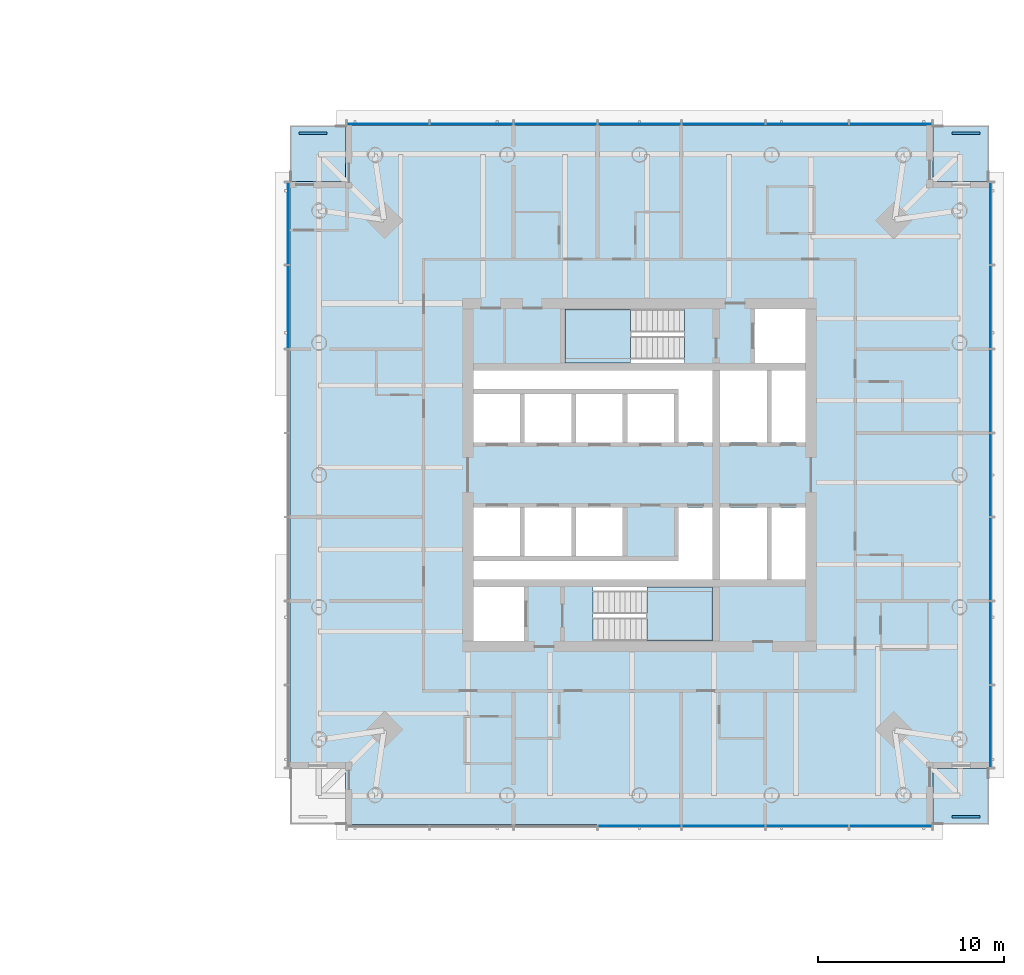
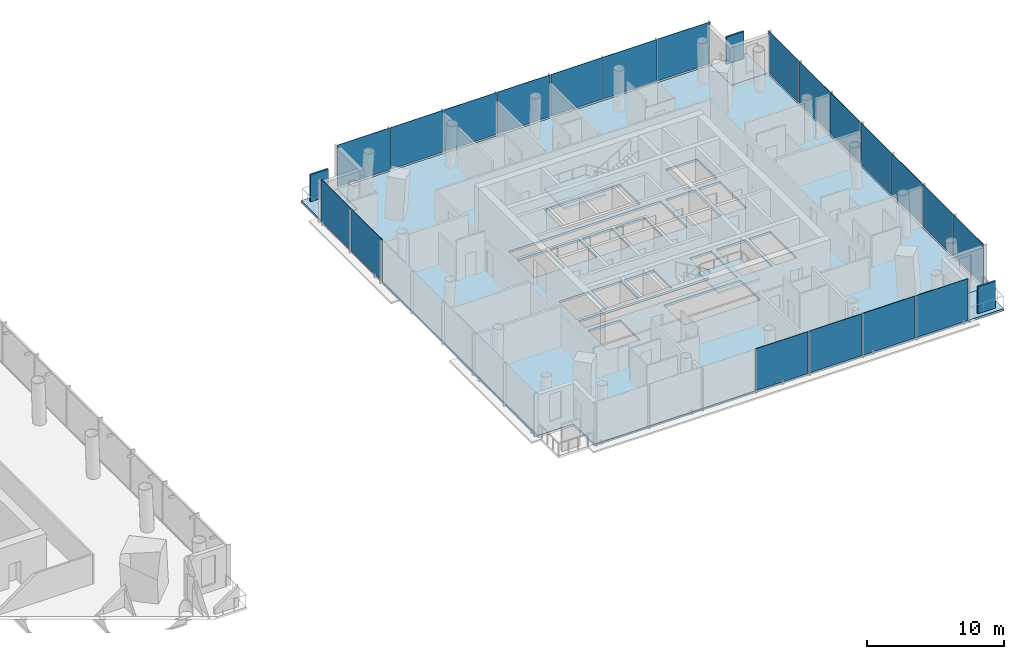
# One storey, part 8 of 22: 23 plates, 6 slabs, 6 elements without a shape of their own.
"""IFC4 building model written with IfcOpenShell, lengths in metres."""

from ifc_helpers import new_model, si_unit, direction, frame, origin, origin_2d, place, context, subcontext, project, spatial, polyline, rectangle, outline, extrude, material, layer, layer_set, type_object, element, aggregate, save


model = new_model("IFC4")

# Units and contexts
model_context = context("Model", 3, precision=1e-05, world=origin(), true_north=direction((0.0, 1.0)))
body_context = subcontext(model_context, "Body", "Model", "MODEL_VIEW")
ifc_project = project(units=[si_unit("LENGTHUNIT", "METRE"), si_unit("AREAUNIT", "SQUARE_METRE"), si_unit("VOLUMEUNIT", "CUBIC_METRE"), si_unit("PLANEANGLEUNIT", "RADIAN"), si_unit("MASSUNIT", "GRAM", prefix="KILO")], contexts=[model_context])

# Site, building, storey
site_placement = place(None, origin())
site = spatial("IfcSite", under=ifc_project, at=site_placement, CompositionType="ELEMENT")
building_placement = place(site_placement, origin())
building = spatial("IfcBuilding", under=site, at=building_placement, Name="Ostroluk Exchange", CompositionType="ELEMENT")
storey_placement = place(building_placement, frame((0.0, 0.0, 62.800048828125)))
storey = spatial("IfcBuildingStorey", under=building, at=storey_placement, Name="L15", CompositionType="ELEMENT", Elevation=62.800048828125)

# Curtain wall, plates
ifc_material_1 = material(Name="Laminated clear glass", Category="glass")
curtain_wall_type = type_object("IfcCurtainWallType", Name="Hotel guest floor facade", PredefinedType="USERDEFINED", material=ifc_material_1)
curtain_wall_1_placement = place(storey_placement, origin())
curtain_wall_1 = element("IfcCurtainWall", 1, at=curtain_wall_1_placement, inside=storey, type_object=curtain_wall_type, Name="Hotel tower south facade L15", ObjectType="UNITISED CURTAIN WALL", PredefinedType="USERDEFINED")
ifc_material_2 = material(Name="Laminated clear glass", Category="glass")
ifc_layer_1 = layer(ifc_material_2, 0.0400390625)
ifc_layer_set_1 = layer_set([ifc_layer_1], Name="Acoustic laminated glazing 40")
plate_type_1 = type_object("IfcPlateType", Name="Acoustic laminated glazing 40", PredefinedType="CURTAIN_PANEL", material=ifc_layer_set_1)
plate_1_placement = place(storey_placement, frame((117.0, 27.175048828125, 0.080078125), z_axis=(0.0, 0.0, 1.0), x_axis=(1.0, 0.0, 0.0)))
plate_1 = element("IfcPlate", 2, at=plate_1_placement, type_object=plate_type_1, Name="CW-H1 panel 4.1", PredefinedType="CURTAIN_PANEL", context=body_context, shape_type="SweptSolid", body=[
    extrude(rectangle(XDim=4.419921875, YDim=0.0400390625, at=origin_2d()), origin(), (0.0, 0.0, 1.0), 3.719970703125),
])
plate_2_placement = place(storey_placement, frame((121.5, 27.175048828125, 0.080078125), z_axis=(0.0, 0.0, 1.0), x_axis=(1.0, 0.0, 0.0)))
plate_2 = element("IfcPlate", 3, at=plate_2_placement, type_object=plate_type_1, Name="CW-H1 panel 5.1", PredefinedType="CURTAIN_PANEL", context=body_context, shape_type="SweptSolid", body=[
    extrude(rectangle(XDim=4.419921875, YDim=0.0400390625, at=origin_2d()), origin(), (0.0, 0.0, 1.0), 3.719970703125),
])
plate_3_placement = place(storey_placement, frame((126.0, 27.175048828125, 0.080078125), z_axis=(0.0, 0.0, 1.0), x_axis=(1.0, 0.0, 0.0)))
plate_3 = element("IfcPlate", 4, at=plate_3_placement, type_object=plate_type_1, Name="CW-H1 panel 6.1", PredefinedType="CURTAIN_PANEL", context=body_context, shape_type="SweptSolid", body=[
    extrude(rectangle(XDim=4.419921875, YDim=0.0400390625, at=origin_2d()), origin(), (0.0, 0.0, 1.0), 3.719970703125),
])
plate_4_placement = place(storey_placement, frame((130.47998046875, 27.175048828125, 0.080078125), z_axis=(0.0, 0.0, 1.0), x_axis=(1.0, 0.0, 0.0)))
plate_4 = element("IfcPlate", 5, at=plate_4_placement, type_object=plate_type_1, Name="CW-H1 panel 7.1", PredefinedType="CURTAIN_PANEL", context=body_context, shape_type="SweptSolid", body=[
    extrude(rectangle(XDim=4.3798828125, YDim=0.0400390625, at=origin_2d()), origin(), (0.0, 0.0, 1.0), 3.719970703125),
])
aggregate(curtain_wall_1, [plate_1, plate_2, plate_3, plate_4])

curtain_wall_2_placement = place(storey_placement, origin())
curtain_wall_2 = element("IfcCurtainWall", 6, at=curtain_wall_2_placement, inside=storey, type_object=curtain_wall_type, Name="Hotel tower east facade L15", ObjectType="UNITISED CURTAIN WALL", PredefinedType="USERDEFINED")
plate_5_placement = place(storey_placement, frame((135.824951171875, 32.52001953125, 0.080078125), z_axis=(0.0, 0.0, 1.0), x_axis=(0.0, 1.0, 0.0)))
plate_5 = element("IfcPlate", 7, at=plate_5_placement, type_object=plate_type_1, Name="CW-H1 panel 1.1", PredefinedType="CURTAIN_PANEL", context=body_context, shape_type="SweptSolid", body=[
    extrude(rectangle(XDim=4.3798828125, YDim=0.0400390625, at=origin_2d()), origin(), (0.0, 0.0, 1.0), 3.719970703125),
])
plate_6_placement = place(storey_placement, frame((135.824951171875, 37.0, 0.080078125), z_axis=(0.0, 0.0, 1.0), x_axis=(0.0, 1.0, 0.0)))
plate_6 = element("IfcPlate", 8, at=plate_6_placement, type_object=plate_type_1, Name="CW-H1 panel 2.1", PredefinedType="CURTAIN_PANEL", context=body_context, shape_type="SweptSolid", body=[
    extrude(rectangle(XDim=4.419921875, YDim=0.0400390625, at=origin_2d()), origin(), (0.0, 0.0, 1.0), 3.719970703125),
])
plate_7_placement = place(storey_placement, frame((135.824951171875, 41.5, 0.080078125), z_axis=(0.0, 0.0, 1.0), x_axis=(0.0, 1.0, 0.0)))
plate_7 = element("IfcPlate", 9, at=plate_7_placement, type_object=plate_type_1, Name="CW-H1 panel 3.1", PredefinedType="CURTAIN_PANEL", context=body_context, shape_type="SweptSolid", body=[
    extrude(rectangle(XDim=4.419921875, YDim=0.0400390625, at=origin_2d()), origin(), (0.0, 0.0, 1.0), 3.719970703125),
])
plate_8_placement = place(storey_placement, frame((135.824951171875, 46.0, 0.080078125), z_axis=(0.0, 0.0, 1.0), x_axis=(0.0, 1.0, 0.0)))
plate_8 = element("IfcPlate", 10, at=plate_8_placement, type_object=plate_type_1, Name="CW-H1 panel 4.1", PredefinedType="CURTAIN_PANEL", context=body_context, shape_type="SweptSolid", body=[
    extrude(rectangle(XDim=4.419921875, YDim=0.0400390625, at=origin_2d()), origin(), (0.0, 0.0, 1.0), 3.719970703125),
])
plate_9_placement = place(storey_placement, frame((135.824951171875, 50.5, 0.080078125), z_axis=(0.0, 0.0, 1.0), x_axis=(0.0, 1.0, 0.0)))
plate_9 = element("IfcPlate", 11, at=plate_9_placement, type_object=plate_type_1, Name="CW-H1 panel 5.1", PredefinedType="CURTAIN_PANEL", context=body_context, shape_type="SweptSolid", body=[
    extrude(rectangle(XDim=4.419921875, YDim=0.0400390625, at=origin_2d()), origin(), (0.0, 0.0, 1.0), 3.719970703125),
])
plate_10_placement = place(storey_placement, frame((135.824951171875, 55.0, 0.080078125), z_axis=(0.0, 0.0, 1.0), x_axis=(0.0, 1.0, 0.0)))
plate_10 = element("IfcPlate", 12, at=plate_10_placement, type_object=plate_type_1, Name="CW-H1 panel 6.1", PredefinedType="CURTAIN_PANEL", context=body_context, shape_type="SweptSolid", body=[
    extrude(rectangle(XDim=4.419921875, YDim=0.0400390625, at=origin_2d()), origin(), (0.0, 0.0, 1.0), 3.719970703125),
])
plate_11_placement = place(storey_placement, frame((135.824951171875, 59.47998046875, 0.080078125), z_axis=(0.0, 0.0, 1.0), x_axis=(0.0, 1.0, 0.0)))
plate_11 = element("IfcPlate", 13, at=plate_11_placement, type_object=plate_type_1, Name="CW-H1 panel 7.1", PredefinedType="CURTAIN_PANEL", context=body_context, shape_type="SweptSolid", body=[
    extrude(rectangle(XDim=4.3798828125, YDim=0.0400390625, at=origin_2d()), origin(), (0.0, 0.0, 1.0), 3.719970703125),
])
aggregate(curtain_wall_2, [plate_5, plate_6, plate_7, plate_8, plate_9, plate_10, plate_11])

curtain_wall_3_placement = place(storey_placement, origin())
curtain_wall_3 = element("IfcCurtainWall", 14, at=curtain_wall_3_placement, inside=storey, type_object=curtain_wall_type, Name="Hotel tower north facade L15", ObjectType="UNITISED CURTAIN WALL", PredefinedType="USERDEFINED")
plate_12_placement = place(storey_placement, frame((130.47998046875, 64.824951171875, 0.080078125), z_axis=(0.0, 0.0, 1.0), x_axis=(-1.0, 0.0, 0.0)))
plate_12 = element("IfcPlate", 15, at=plate_12_placement, type_object=plate_type_1, Name="CW-H1 panel 1.1", PredefinedType="CURTAIN_PANEL", context=body_context, shape_type="SweptSolid", body=[
    extrude(rectangle(XDim=4.3798828125, YDim=0.0400390625, at=origin_2d()), origin(), (0.0, 0.0, 1.0), 3.719970703125),
])
plate_13_placement = place(storey_placement, frame((126.0, 64.824951171875, 0.080078125), z_axis=(0.0, 0.0, 1.0), x_axis=(-1.0, 0.0, 0.0)))
plate_13 = element("IfcPlate", 16, at=plate_13_placement, type_object=plate_type_1, Name="CW-H1 panel 2.1", PredefinedType="CURTAIN_PANEL", context=body_context, shape_type="SweptSolid", body=[
    extrude(rectangle(XDim=4.419921875, YDim=0.0400390625, at=origin_2d()), origin(), (0.0, 0.0, 1.0), 3.719970703125),
])
plate_14_placement = place(storey_placement, frame((121.5, 64.824951171875, 0.080078125), z_axis=(0.0, 0.0, 1.0), x_axis=(-1.0, 0.0, 0.0)))
plate_14 = element("IfcPlate", 17, at=plate_14_placement, type_object=plate_type_1, Name="CW-H1 panel 3.1", PredefinedType="CURTAIN_PANEL", context=body_context, shape_type="SweptSolid", body=[
    extrude(rectangle(XDim=4.419921875, YDim=0.0400390625, at=origin_2d()), origin(), (0.0, 0.0, 1.0), 3.719970703125),
])
plate_15_placement = place(storey_placement, frame((117.0, 64.824951171875, 0.080078125), z_axis=(0.0, 0.0, 1.0), x_axis=(-1.0, 0.0, 0.0)))
plate_15 = element("IfcPlate", 18, at=plate_15_placement, type_object=plate_type_1, Name="CW-H1 panel 4.1", PredefinedType="CURTAIN_PANEL", context=body_context, shape_type="SweptSolid", body=[
    extrude(rectangle(XDim=4.419921875, YDim=0.0400390625, at=origin_2d()), origin(), (0.0, 0.0, 1.0), 3.719970703125),
])
plate_16_placement = place(storey_placement, frame((112.5, 64.824951171875, 0.080078125), z_axis=(0.0, 0.0, 1.0), x_axis=(-1.0, 0.0, 0.0)))
plate_16 = element("IfcPlate", 19, at=plate_16_placement, type_object=plate_type_1, Name="CW-H1 panel 5.1", PredefinedType="CURTAIN_PANEL", context=body_context, shape_type="SweptSolid", body=[
    extrude(rectangle(XDim=4.419921875, YDim=0.0400390625, at=origin_2d()), origin(), (0.0, 0.0, 1.0), 3.719970703125),
])
plate_17_placement = place(storey_placement, frame((108.0, 64.824951171875, 0.080078125), z_axis=(0.0, 0.0, 1.0), x_axis=(-1.0, 0.0, 0.0)))
plate_17 = element("IfcPlate", 20, at=plate_17_placement, type_object=plate_type_1, Name="CW-H1 panel 6.1", PredefinedType="CURTAIN_PANEL", context=body_context, shape_type="SweptSolid", body=[
    extrude(rectangle(XDim=4.419921875, YDim=0.0400390625, at=origin_2d()), origin(), (0.0, 0.0, 1.0), 3.719970703125),
])
plate_18_placement = place(storey_placement, frame((103.52001953125, 64.824951171875, 0.080078125), z_axis=(0.0, 0.0, 1.0), x_axis=(-1.0, 0.0, 0.0)))
plate_18 = element("IfcPlate", 21, at=plate_18_placement, type_object=plate_type_1, Name="CW-H1 panel 7.1", PredefinedType="CURTAIN_PANEL", context=body_context, shape_type="SweptSolid", body=[
    extrude(rectangle(XDim=4.3798828125, YDim=0.0400390625, at=origin_2d()), origin(), (0.0, 0.0, 1.0), 3.719970703125),
])
aggregate(curtain_wall_3, [plate_12, plate_13, plate_14, plate_15, plate_16, plate_17, plate_18])

curtain_wall_4_placement = place(storey_placement, origin())
curtain_wall_4 = element("IfcCurtainWall", 22, at=curtain_wall_4_placement, inside=storey, type_object=curtain_wall_type, Name="Hotel tower west facade L15", ObjectType="UNITISED CURTAIN WALL", PredefinedType="USERDEFINED")
plate_19_placement = place(storey_placement, frame((98.175048828125, 59.47998046875, 0.080078125), z_axis=(0.0, 0.0, 1.0), x_axis=(0.0, -1.0, 0.0)))
plate_19 = element("IfcPlate", 23, at=plate_19_placement, type_object=plate_type_1, Name="CW-H1 panel 1.1", PredefinedType="CURTAIN_PANEL", context=body_context, shape_type="SweptSolid", body=[
    extrude(rectangle(XDim=4.3798828125, YDim=0.0400390625, at=origin_2d()), origin(), (0.0, 0.0, 1.0), 3.719970703125),
])
plate_20_placement = place(storey_placement, frame((98.175048828125, 55.0, 0.080078125), z_axis=(0.0, 0.0, 1.0), x_axis=(0.0, -1.0, 0.0)))
plate_20 = element("IfcPlate", 24, at=plate_20_placement, type_object=plate_type_1, Name="CW-H1 panel 2.1", PredefinedType="CURTAIN_PANEL", context=body_context, shape_type="SweptSolid", body=[
    extrude(rectangle(XDim=4.419921875, YDim=0.0400390625, at=origin_2d()), origin(), (0.0, 0.0, 1.0), 3.719970703125),
])
aggregate(curtain_wall_4, [plate_19, plate_20])

# Slabs
ifc_material_3 = material(Name="Concrete C35/45", Category="concrete")
ifc_layer_2 = layer(ifc_material_3, 0.199951171875)
ifc_layer_set_2 = layer_set([ifc_layer_2], Name="Balcony slab 200")
slab_type_1 = type_object("IfcSlabType", Name="Balcony slab 200", PredefinedType="USERDEFINED", material=ifc_layer_set_2)
slab_1_placement = place(storey_placement, frame((0.0, 0.0, -0.199951171875)))
element("IfcSlab", 25, at=slab_1_placement, inside=storey, type_object=slab_type_1, Name="Hotel tower SE corner balcony L15", ObjectType="BALCONY", PredefinedType="USERDEFINED", context=body_context, shape_type="SweptSolid", body=[
    extrude(outline(polyline([(132.75, 27.25), (135.75, 27.25), (135.75, 30.25), (132.75, 30.25), (132.75, 27.25)])), origin(), (0.0, 0.0, 1.0), 0.199951171875),
])
slab_2_placement = place(storey_placement, frame((0.0, 0.0, -0.199951171875)))
element("IfcSlab", 26, at=slab_2_placement, inside=storey, type_object=slab_type_1, Name="Hotel tower NE corner balcony L15", ObjectType="BALCONY", PredefinedType="USERDEFINED", context=body_context, shape_type="SweptSolid", body=[
    extrude(outline(polyline([(132.75, 61.75), (135.75, 61.75), (135.75, 64.75), (132.75, 64.75), (132.75, 61.75)])), origin(), (0.0, 0.0, 1.0), 0.199951171875),
])
slab_3_placement = place(storey_placement, frame((0.0, 0.0, -0.199951171875)))
element("IfcSlab", 27, at=slab_3_placement, inside=storey, type_object=slab_type_1, Name="Hotel tower NW corner balcony L15", ObjectType="BALCONY", PredefinedType="USERDEFINED", context=body_context, shape_type="SweptSolid", body=[
    extrude(outline(polyline([(98.25, 61.75), (101.25, 61.75), (101.25, 64.75), (98.25, 64.75), (98.25, 61.75)])), origin(), (0.0, 0.0, 1.0), 0.199951171875),
])

# Plates
ifc_material_4 = material(Name="Steel S355 trellis with planting", Category="steel")
ifc_layer_3 = layer(ifc_material_4, 0.14990234375)
ifc_layer_set_3 = layer_set([ifc_layer_3], Name="Planted screen 150")
plate_type_2 = type_object("IfcPlateType", Name="Planted screen 150", PredefinedType="USERDEFINED", material=ifc_layer_set_3)
for number, where, z_axis, x_axis, name in (
    (28, (134.5, 27.675048828125, 0.0), (0.0, 0.0, 1.0), (1.0, 0.0, 0.0), "Hotel tower SE planted screen L15"),
    (29, (134.5, 64.324951171875, 0.0), (0.0, 0.0, 1.0), (1.0, 0.0, 0.0), "Hotel tower NE planted screen L15"),
    (30, (99.5, 64.324951171875, 0.0), (0.0, 0.0, 1.0), (1.0, 0.0, 0.0), "Hotel tower NW planted screen L15"),
):
    element("IfcPlate", number, at=place(storey_placement, frame(where, z_axis=z_axis, x_axis=x_axis)), inside=storey, type_object=plate_type_2, Name=name, ObjectType="PLANTED SCREEN", PredefinedType="USERDEFINED", context=body_context, shape_type="SweptSolid", body=[
        extrude(rectangle(XDim=1.5, YDim=0.14990234375, at=origin_2d()), origin(), (0.0, 0.0, 1.0), 2.39990234375),
    ])

# Stair, slab
ifc_material_5 = material(Name="Concrete C30/37", Category="concrete")
stair_type = type_object("IfcStairType", Name="Exit stair half turn 3800", PredefinedType="HALF_TURN_STAIR", material=ifc_material_5)
stair_1_placement = place(storey_placement, origin())
stair_1 = element("IfcStair", 31, at=stair_1_placement, inside=storey, type_object=stair_type, Name="Stair T2-S1 L15", PredefinedType="HALF_TURN_STAIR")
ifc_material_6 = material(Name="Concrete C30/37", Category="concrete")
ifc_layer_4 = layer(ifc_material_6, 0.199951171875)
ifc_layer_set_4 = layer_set([ifc_layer_4], Name="Stair landing 200")
slab_type_2 = type_object("IfcSlabType", Name="Stair landing 200", PredefinedType="LANDING", material=ifc_layer_set_4)
slab_4_placement = place(storey_placement, frame((0.0, 0.0, 1.699951171875)))
slab_4 = element("IfcSlab", 32, at=slab_4_placement, type_object=slab_type_2, Name="T2-S1 landing 1", PredefinedType="LANDING", context=body_context, shape_type="SweptSolid", body=[
    extrude(outline(polyline([(117.39990234375, 37.10009765625), (117.39990234375, 40.0), (120.929931640625, 40.0), (120.929931640625, 37.10009765625), (117.39990234375, 37.10009765625)])), origin(), (0.0, 0.0, 1.0), 0.199951171875),
])
aggregate(stair_1, [slab_4])

stair_2_placement = place(storey_placement, origin())
stair_2 = element("IfcStair", 33, at=stair_2_placement, inside=storey, type_object=stair_type, Name="Stair T2-S2 L15", PredefinedType="HALF_TURN_STAIR")
slab_5_placement = place(storey_placement, frame((0.0, 0.0, 1.699951171875)))
slab_5 = element("IfcSlab", 34, at=slab_5_placement, type_object=slab_type_2, Name="T2-S2 landing 1", PredefinedType="LANDING", context=body_context, shape_type="SweptSolid", body=[
    extrude(outline(polyline([(116.530029296875, 52.0), (116.530029296875, 54.89990234375), (113.0, 54.89990234375), (113.0, 52.0), (116.530029296875, 52.0)])), origin(), (0.0, 0.0, 1.0), 0.199951171875),
])
aggregate(stair_2, [slab_5])

# Slab
ifc_material_7 = material(Name="Concrete C35/45", Category="concrete")
ifc_layer_5 = layer(ifc_material_7, 0.199951171875)
ifc_layer_set_5 = layer_set([ifc_layer_5], Name="Tower floor slab 200 composite")
slab_type_3 = type_object("IfcSlabType", Name="Tower floor slab 200 composite", PredefinedType="FLOOR", material=ifc_layer_set_5)
slab_6_placement = place(storey_placement, frame((0.0, 0.0, -0.199951171875)))
element("IfcSlab", 35, at=slab_6_placement, inside=storey, type_object=slab_type_3, Name="Hotel tower floor slab L15", PredefinedType="FLOOR", context=body_context, shape_type="SweptSolid", body=[
    extrude(outline(polyline([(101.25, 27.25), (132.75, 27.25), (132.75, 30.25), (135.75, 30.25), (135.75, 61.75), (132.75, 61.75), (132.75, 64.75), (101.25, 64.75), (101.25, 61.75), (98.25, 61.75), (98.25, 30.25), (101.25, 30.25), (101.25, 27.25)]), holes=[polyline([(108.10009765625, 37.10009765625), (110.800048828125, 37.10009765625), (110.800048828125, 40.0), (108.10009765625, 40.0), (108.10009765625, 37.10009765625)]), polyline([(114.510009765625, 37.10009765625), (120.929931640625, 37.10009765625), (120.929931640625, 40.0), (114.510009765625, 40.0), (114.510009765625, 37.10009765625)]), polyline([(113.0, 52.0), (119.419921875, 52.0), (119.419921875, 54.89990234375), (113.0, 54.89990234375), (113.0, 52.0)]), polyline([(123.199951171875, 52.0), (125.89990234375, 52.0), (125.89990234375, 54.89990234375), (123.199951171875, 54.89990234375), (123.199951171875, 52.0)]), polyline([(108.10009765625, 47.75), (110.60009765625, 47.75), (110.60009765625, 50.35009765625), (108.10009765625, 50.35009765625), (108.10009765625, 47.75)]), polyline([(110.85009765625, 47.75), (113.35009765625, 47.75), (113.35009765625, 50.35009765625), (110.85009765625, 50.35009765625), (110.85009765625, 47.75)]), polyline([(113.60009765625, 47.75), (116.10009765625, 47.75), (116.10009765625, 50.35009765625), (113.60009765625, 50.35009765625), (113.60009765625, 47.75)]), polyline([(116.35009765625, 47.75), (118.85009765625, 47.75), (118.85009765625, 50.35009765625), (116.35009765625, 50.35009765625), (116.35009765625, 47.75)]), polyline([(108.10009765625, 41.64990234375), (110.60009765625, 41.64990234375), (110.60009765625, 44.25), (108.10009765625, 44.25), (108.10009765625, 41.64990234375)]), polyline([(110.85009765625, 41.64990234375), (113.35009765625, 41.64990234375), (113.35009765625, 44.25), (110.85009765625, 44.25), (110.85009765625, 41.64990234375)]), polyline([(113.60009765625, 41.64990234375), (116.10009765625, 41.64990234375), (116.10009765625, 44.25), (113.60009765625, 44.25), (113.60009765625, 41.64990234375)]), polyline([(121.330078125, 47.75), (123.830078125, 47.75), (123.830078125, 51.60009765625), (121.330078125, 51.60009765625), (121.330078125, 47.75)]), polyline([(121.330078125, 40.39990234375), (123.830078125, 40.39990234375), (123.830078125, 44.25), (121.330078125, 44.25), (121.330078125, 40.39990234375)]), polyline([(120.929931640625, 51.60009765625), (120.929931640625, 47.75), (119.10009765625, 47.75), (119.10009765625, 50.60009765625), (108.10009765625, 50.60009765625), (108.10009765625, 51.60009765625), (120.929931640625, 51.60009765625)]), polyline([(108.10009765625, 40.39990234375), (108.10009765625, 41.39990234375), (119.10009765625, 41.39990234375), (119.10009765625, 44.25), (120.929931640625, 44.25), (120.929931640625, 40.39990234375), (108.10009765625, 40.39990234375)]), polyline([(124.080078125, 47.75), (125.89990234375, 47.75), (125.89990234375, 51.60009765625), (124.080078125, 51.60009765625), (124.080078125, 47.75)]), polyline([(124.080078125, 40.39990234375), (125.89990234375, 40.39990234375), (125.89990234375, 44.25), (124.080078125, 44.25), (124.080078125, 40.39990234375)])]), origin(), (0.0, 0.0, 1.0), 0.199951171875),
])

save(model, "model.ifc")
